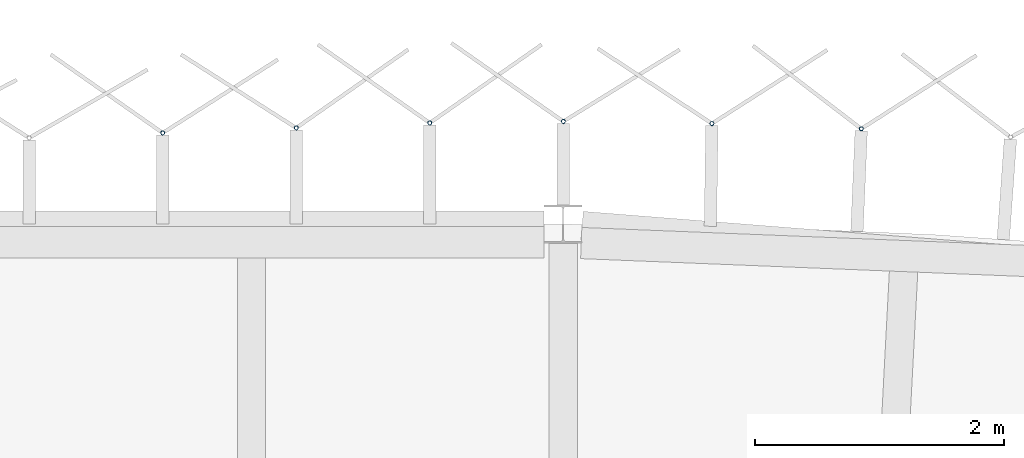
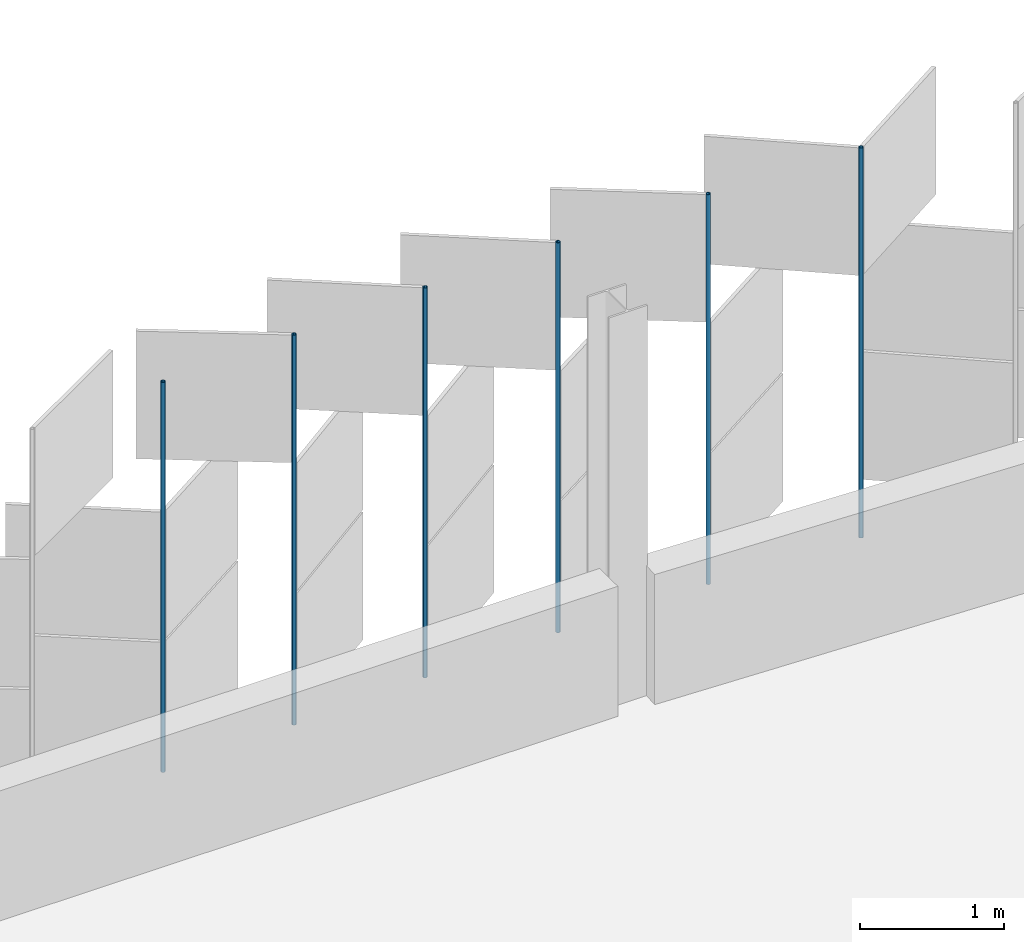
# One storey, part 156 of 198: 6 discrete accessories.
"""IFC4 building model written with IfcOpenShell, lengths in metres."""

from ifc_helpers import new_model, si_unit, direction, frame, origin, origin_2d, place, context, subcontext, project, spatial, hollow_circle, extrude, material, material_profile, profile_set, type_object, element, save


model = new_model("IFC4")

# Units and contexts
model_context = context("Model", 3, precision=1e-05, world=origin(), true_north=direction((0.0, 1.0)))
body_context = subcontext(model_context, "Body", "Model", "MODEL_VIEW")
ifc_project = project(units=[si_unit("LENGTHUNIT", "METRE"), si_unit("AREAUNIT", "SQUARE_METRE"), si_unit("VOLUMEUNIT", "CUBIC_METRE"), si_unit("PLANEANGLEUNIT", "RADIAN"), si_unit("MASSUNIT", "GRAM", prefix="KILO")], contexts=[model_context])

# Site, building, storey
site_placement = place(None, origin())
site = spatial("IfcSite", under=ifc_project, at=site_placement, CompositionType="ELEMENT")
building_placement = place(site_placement, origin())
building = spatial("IfcBuilding", under=site, at=building_placement, Name="Parallax Yard Mobility Hub", CompositionType="ELEMENT")
storey_placement = place(building_placement, frame((0.0, 0.0, 6.60009765625)))
storey = spatial("IfcBuildingStorey", under=building, at=storey_placement, Name="L02", CompositionType="ELEMENT", Elevation=6.60009765625)

# Discrete accessories
ifc_material = material(Name="Steel ASTM A500 Gr C, hot-dip galvanised", Category="steel")
ifc_material_profile = material_profile(ifc_material, hollow_circle(Radius=0.016845703125, WallThickness=0.003173828125, at=origin_2d()), Name="CHS 33.7x3.2")
ifc_profile_set = profile_set([ifc_material_profile], Name="Steel ASTM A500 Gr C, hot-dip galvanised")
discrete_accessory_type = type_object("IfcDiscreteAccessoryType", Name="Hinge post CHS 33.7x3.2", PredefinedType="BRACKET", material=ifc_profile_set)
for number, where, z_axis, x_axis, name in (
    (1, (174.892578125, 143.264892578125, 0.0), (0.0, 0.0, 1.0), (1.0, 0.0, 0.0), "Hinge post bay 50.6 level L02"),
    (2, (173.69384765625, 143.306884765625, 0.0), (0.0, 0.0, 1.0), (1.0, 0.0, 0.0), "Hinge post bay 50.7 level L02"),
    (3, (172.501953125, 143.32373046875, 0.0), (0.0, 0.0, 1.0), (1.0, 0.0, 0.0), "Hinge post bay 51.1 level L02"),
    (4, (171.430419921875, 143.311767578125, 0.0), (0.0, 0.0, 1.0), (1.0, 0.0, 0.0), "Hinge post bay 51.2 level L02"),
    (5, (170.35888671875, 143.271728515625, 0.0), (0.0, 0.0, 1.0), (1.0, 0.0, 0.0), "Hinge post bay 51.3 level L02"),
    (6, (169.287109375, 143.231689453125, 0.0), (0.0, 0.0, 1.0), (1.0, 0.0, 0.0), "Hinge post bay 51.4 level L02"),
):
    element("IfcDiscreteAccessory", number, at=place(storey_placement, frame(where, z_axis=z_axis, x_axis=x_axis)), inside=storey, type_object=discrete_accessory_type, Name=name, PredefinedType="BRACKET", context=body_context, shape_type="SweptSolid", body=[
        extrude(hollow_circle(Radius=0.016845703125, WallThickness=0.003173828125, at=origin_2d()), origin(), (0.0, 0.0, 1.0), 3.2998046875),
    ])

save(model, "model.ifc")
